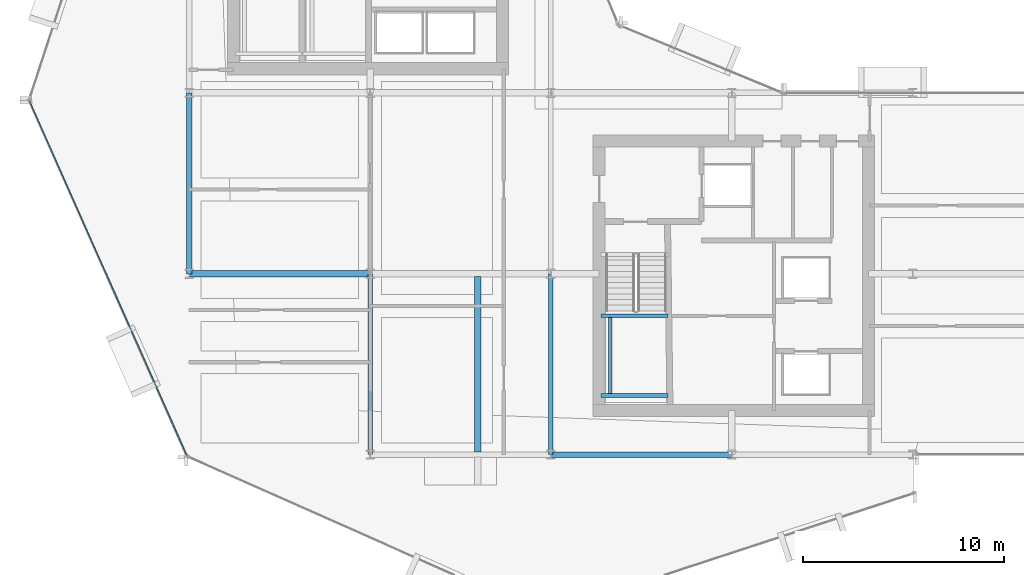
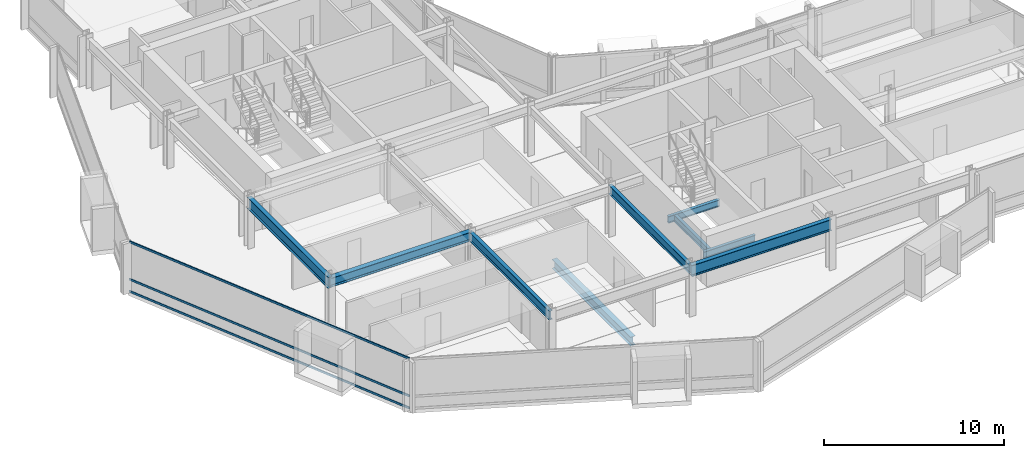
# One storey, part 5 of 29: 9 beams, 3 members, 1 element without a shape of its own.
"""IFC4 building model written with IfcOpenShell, lengths in metres."""

from ifc_helpers import new_model, si_unit, direction, frame, origin, origin_2d, place, context, subcontext, project, spatial, hollow_rectangle, i_section, extrude, material, layer, layer_set, material_profile, profile_set, type_object, element, aggregate, save


model = new_model("IFC4")

# Units and contexts
model_context = context("Model", 3, precision=1e-05, world=origin(), true_north=direction((0.0, 1.0)))
body_context = subcontext(model_context, "Body", "Model", "MODEL_VIEW")
ifc_project = project(units=[si_unit("LENGTHUNIT", "METRE"), si_unit("AREAUNIT", "SQUARE_METRE"), si_unit("VOLUMEUNIT", "CUBIC_METRE"), si_unit("PLANEANGLEUNIT", "RADIAN"), si_unit("MASSUNIT", "GRAM", prefix="KILO")], contexts=[model_context])

# Site, building, storey
site_placement = place(None, origin())
site = spatial("IfcSite", under=ifc_project, at=site_placement, CompositionType="ELEMENT")
building_placement = place(site_placement, origin())
building = spatial("IfcBuilding", under=site, at=building_placement, Name="Solvaryn Broadcast Tower", CompositionType="ELEMENT")
storey_placement = place(building_placement, frame((0.0, 0.0, 113.699951171875)))
storey = spatial("IfcBuildingStorey", under=building, at=storey_placement, Name="L27", CompositionType="ELEMENT", Elevation=113.699951171875)

# Beams
ifc_material_1 = material(Name="Steel ASTM A992 Grade 50", Category="steel")
ifc_material_profile_1 = material_profile(ifc_material_1, i_section(OverallWidth=0.323974609375, OverallDepth=0.611083984375, WebThickness=0.0126953125, FlangeThickness=0.01904296875, FilletRadius=0.014892578125, at=origin_2d()))
ifc_profile_set_1 = profile_set([ifc_material_profile_1], Name="Steel ASTM A992 Grade 50")
beam_type_1 = type_object("IfcBeamType", Name="BM-B1-W24X104", PredefinedType="BEAM", material=ifc_profile_set_1)
beam_1_placement = place(storey_placement, frame((23.35009765625, 17.875, -0.58544921875), z_axis=(0.0, -1.0, 0.0), x_axis=(1.0, 0.0, 0.0)))
element("IfcBeam", 1, at=beam_1_placement, inside=storey, type_object=beam_type_1, Name="L27 Bay-Box Back-Span Beam 1", PredefinedType="BEAM", context=body_context, shape_type="SweptSolid", body=[
    extrude(i_section(OverallWidth=0.323974609375, OverallDepth=0.611083984375, WebThickness=0.0126953125, FlangeThickness=0.01904296875, FilletRadius=0.014892578125, at=origin_2d()), origin(), (0.0, 0.0, 1.0), 8.75),
])
beam_2_placement = place(storey_placement, frame((9.0, 18.0, 3.114501953125), z_axis=(1.0, 0.0, 0.0), x_axis=(0.0, 1.0, 0.0)))
element("IfcBeam", 2, at=beam_2_placement, inside=storey, type_object=beam_type_1, Name="L27 Primary Beam X (9-18 @ Y=18)", PredefinedType="BEAM", context=body_context, shape_type="SweptSolid", body=[
    extrude(i_section(OverallWidth=0.323974609375, OverallDepth=0.611083984375, WebThickness=0.0126953125, FlangeThickness=0.01904296875, FilletRadius=0.014892578125, at=origin_2d()), origin(), (0.0, 0.0, 1.0), 9.0),
])
ifc_material_2 = material(Name="Steel ASTM A992 Grade 50", Category="steel")
ifc_material_profile_2 = material_profile(ifc_material_2, i_section(OverallWidth=0.22802734375, OverallDepth=0.60791015625, WebThickness=0.01123046875, FlangeThickness=0.017333984375, FilletRadius=0.014892578125, at=origin_2d()))
ifc_profile_set_2 = profile_set([ifc_material_profile_2], Name="Steel ASTM A992 Grade 50")
beam_type_2 = type_object("IfcBeamType", Name="BM-B2-W24X76", PredefinedType="BEAM", material=ifc_profile_set_2)
for number, where, z_axis, x_axis, name in (
    (3, (18.0, 9.0, 3.115966796875), (0.0, 1.0, 0.0), (-1.0, 0.0, 0.0), "L27 Primary Beam Y (9-18 @ X=18)"),
    (4, (27.0, 9.0, 3.115966796875), (0.0, 1.0, 0.0), (-1.0, 0.0, 0.0), "L27 Primary Beam Y (9-18 @ X=27)"),
):
    element("IfcBeam", number, at=place(storey_placement, frame(where, z_axis=z_axis, x_axis=x_axis)), inside=storey, type_object=beam_type_2, Name=name, PredefinedType="BEAM", context=body_context, shape_type="SweptSolid", body=[
        extrude(i_section(OverallWidth=0.22802734375, OverallDepth=0.60791015625, WebThickness=0.01123046875, FlangeThickness=0.017333984375, FilletRadius=0.014892578125, at=origin_2d()), origin(), (0.0, 0.0, 1.0), 9.0),
    ])
ifc_material_3 = material(Name="Steel ASTM A992 Grade 50", Category="steel")
ifc_material_profile_3 = material_profile(ifc_material_3, i_section(OverallWidth=0.18994140625, OverallDepth=0.45703125, WebThickness=0.009033203125, FlangeThickness=0.014404296875, FilletRadius=0.011962890625, at=origin_2d()))
ifc_profile_set_3 = profile_set([ifc_material_profile_3], Name="Steel ASTM A992 Grade 50")
beam_type_3 = type_object("IfcBeamType", Name="BM-B4-W18X50", PredefinedType="BEAM", material=ifc_profile_set_3)
for number, where, z_axis, x_axis, name in (
    (5, (29.5, 11.949951171875, 1.421630859375), (1.0, 0.0, 0.0), (0.0, 1.0, 0.0), "L27 ST3 Landing Support Beam 1A"),
    (6, (29.5, 15.909912109375, 1.421630859375), (1.0, 0.0, 0.0), (0.0, 1.0, 0.0), "L27 ST3 Landing Support Beam 1B"),
):
    element("IfcBeam", number, at=place(storey_placement, frame(where, z_axis=z_axis, x_axis=x_axis)), inside=storey, type_object=beam_type_3, Name=name, PredefinedType="BEAM", context=body_context, shape_type="SweptSolid", body=[
        extrude(i_section(OverallWidth=0.18994140625, OverallDepth=0.45703125, WebThickness=0.009033203125, FlangeThickness=0.014404296875, FilletRadius=0.011962890625, at=origin_2d()), origin(), (0.0, 0.0, 1.0), 3.320068359375),
    ])
beam_3_placement = place(storey_placement, frame((29.949951171875, 11.949951171875, 1.421630859375), z_axis=(0.0, 1.0, 0.0), x_axis=(-1.0, 0.0, 0.0)))
element("IfcBeam", 7, at=beam_3_placement, inside=storey, type_object=beam_type_3, Name="L27 ST3 Landing Cross Stringer 1C", PredefinedType="BEAM", context=body_context, shape_type="SweptSolid", body=[
    extrude(i_section(OverallWidth=0.18994140625, OverallDepth=0.45703125, WebThickness=0.009033203125, FlangeThickness=0.014404296875, FilletRadius=0.011962890625, at=origin_2d()), origin(), (0.0, 0.0, 1.0), 3.9599609375),
])
ifc_material_4 = material(Name="Steel ASTM A992 Grade 50", Category="steel")
ifc_material_profile_4 = material_profile(ifc_material_4, i_section(OverallWidth=0.26708984375, OverallDepth=0.76611328125, WebThickness=0.014892578125, FlangeThickness=0.023681640625, FilletRadius=0.01806640625, at=origin_2d()))
ifc_profile_set_4 = profile_set([ifc_material_profile_4], Name="Steel ASTM A992 Grade 50")
beam_type_4 = type_object("IfcBeamType", Name="BM-SP2-W30X124", PredefinedType="USERDEFINED", material=ifc_profile_set_4)
for number, where, z_axis, x_axis, name in (
    (8, (27.0, 9.0, 3.037109375), (1.0, 0.0, 0.0), (0.0, 1.0, 0.0), "L27 Spandrel Beam X (27-36 @ Y=9)"),
    (9, (9.0, 18.0, 3.037109375), (0.0, 1.0, 0.0), (-1.0, 0.0, 0.0), "L27 Spandrel Beam Y (18-27 @ X=9)"),
):
    element("IfcBeam", number, at=place(storey_placement, frame(where, z_axis=z_axis, x_axis=x_axis)), inside=storey, type_object=beam_type_4, Name=name, ObjectType="SPANDREL", PredefinedType="USERDEFINED", context=body_context, shape_type="SweptSolid", body=[
        extrude(i_section(OverallWidth=0.26708984375, OverallDepth=0.76611328125, WebThickness=0.014892578125, FlangeThickness=0.023681640625, FilletRadius=0.01806640625, at=origin_2d()), origin(), (0.0, 0.0, 1.0), 9.0),
    ])

# Curtain wall, members
ifc_material_5 = material(Name="Aluminium and Terracotta Unitised Curtain Wall", Category="masonry")
ifc_layer = layer(ifc_material_5, 0.199951171875)
ifc_layer_set = layer_set([ifc_layer], Name="CW-SYS2-LOWMID")
curtain_wall_type = type_object("IfcCurtainWallType", Name="CW-SYS2-LOWMID", PredefinedType="NOTDEFINED", material=ifc_layer_set)
curtain_wall_placement = place(storey_placement, origin())
curtain_wall = element("IfcCurtainWall", 10, at=curtain_wall_placement, inside=storey, type_object=curtain_wall_type, Name="L27 Curtain Wall DR2", PredefinedType="NOTDEFINED")
ifc_material_6 = material(Name="Anodised Aluminium 6063-T6", Category="aluminium")
ifc_material_profile_5 = material_profile(ifc_material_6, hollow_rectangle(XDim=0.06494140625, YDim=0.14990234375, WallThickness=0.00390625, InnerFilletRadius=0.00390625, OuterFilletRadius=0.008056640625, at=origin_2d()))
ifc_profile_set_5 = profile_set([ifc_material_profile_5], Name="Anodised Aluminium 6063-T6")
member_type = type_object("IfcMemberType", Name="CW-TRN-150", PredefinedType="USERDEFINED", material=ifc_profile_set_5)
member_1_placement = place(storey_placement, frame((1.058349609375, 26.5810546875, 0.030029296875), z_axis=(0.405917546252, -0.913909703223, 0.0), x_axis=(0.913909703223, 0.405917546252, 0.0)))
member_1 = element("IfcMember", 11, at=member_1_placement, type_object=member_type, Name="CWS2 transom 1.1", ObjectType="TRANSOM", PredefinedType="USERDEFINED", context=body_context, shape_type="SweptSolid", body=[
    extrude(hollow_rectangle(XDim=0.06494140625, YDim=0.14990234375, WallThickness=0.00390625, InnerFilletRadius=0.00390625, OuterFilletRadius=0.008056640625, at=origin_2d()), origin(), (0.0, 0.0, 1.0), 19.27783203125),
])
member_2_placement = place(storey_placement, frame((1.058349609375, 26.5810546875, 0.85009765625), z_axis=(0.405917546252, -0.913909703223, 0.0), x_axis=(0.913909703223, 0.405917546252, 0.0)))
member_2 = element("IfcMember", 12, at=member_2_placement, type_object=member_type, Name="CWS2 transom 1.2", ObjectType="TRANSOM", PredefinedType="USERDEFINED", context=body_context, shape_type="SweptSolid", body=[
    extrude(hollow_rectangle(XDim=0.06494140625, YDim=0.14990234375, WallThickness=0.00390625, InnerFilletRadius=0.00390625, OuterFilletRadius=0.008056640625, at=origin_2d()), origin(), (0.0, 0.0, 1.0), 19.27783203125),
])
member_3_placement = place(storey_placement, frame((1.058349609375, 26.5810546875, 3.39013671875), z_axis=(0.405917546252, -0.913909703223, 0.0), x_axis=(0.913909703223, 0.405917546252, 0.0)))
member_3 = element("IfcMember", 13, at=member_3_placement, type_object=member_type, Name="CWS2 transom 1.3", ObjectType="TRANSOM", PredefinedType="USERDEFINED", context=body_context, shape_type="SweptSolid", body=[
    extrude(hollow_rectangle(XDim=0.06494140625, YDim=0.14990234375, WallThickness=0.00390625, InnerFilletRadius=0.00390625, OuterFilletRadius=0.008056640625, at=origin_2d()), origin(), (0.0, 0.0, 1.0), 19.27783203125),
])
aggregate(curtain_wall, [member_1, member_2, member_3])

save(model, "model.ifc")
